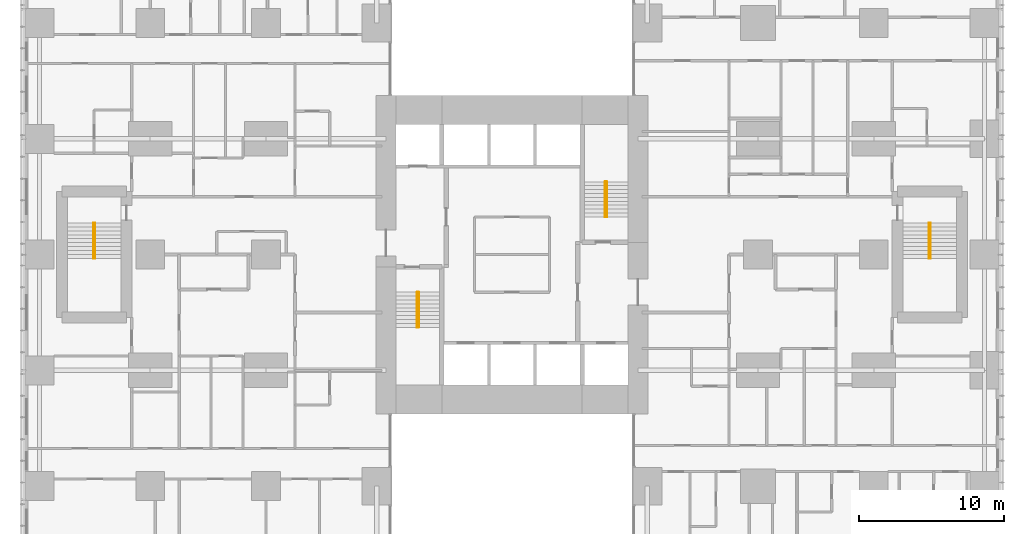
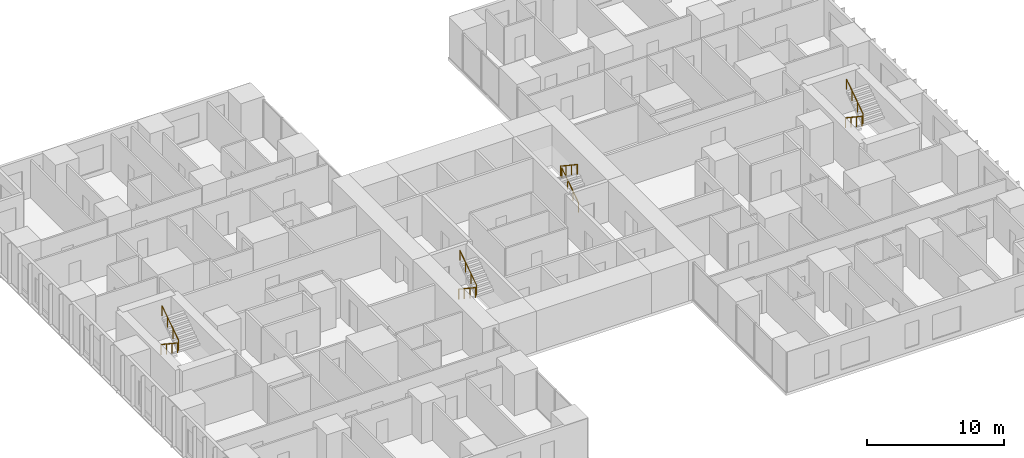
# One storey, part 21 of 21: 8 railings.
"""IFC4 building model written with IfcOpenShell, lengths in metres."""

import ifcopenshell
import ifcopenshell.guid

model = None  # the IFC model being written
_history = None  # IfcOwnerHistory: only IFC2X3 demands one
_inside = {}  # id of a spatial element -> (the spatial element, [elements in it])
_under = {}  # id of a project, library or spatial element -> (it, [spatial elements below it])
_declared = {}  # id of a project -> (the project, [libraries it declares])
_typed = {}  # id of a type object -> (the type object, [elements of that type])
_made_of = {}  # id of a material, layer set ... -> (it, [elements and type objects made of it])


def new_model(schema):
    """Start an empty IFC model of exactly this schema.

    Asked for "IFC4X3", IfcOpenShell would pick the latest addendum, in which some entities
    have other attributes; the version numbers below select the first issue.
    IFC2X3 requires an IfcOwnerHistory on every rooted entity: one is made here for all.
    """
    global model, _history
    if schema == "IFC4X3":
        model = ifcopenshell.file(schema_version=(4, 3, 0, 0))
    else:
        model = ifcopenshell.file(schema=schema)
    _inside.clear()
    _under.clear()
    _declared.clear()
    _typed.clear()
    _made_of.clear()
    _history = None
    if model.schema == "IFC2X3":
        org = make("IfcOrganization", Name="unknown")
        user = make(
            "IfcPersonAndOrganization",
            ThePerson=make("IfcPerson", FamilyName="unknown"),
            TheOrganization=org,
        )
        app = make(
            "IfcApplication",
            ApplicationDeveloper=org,
            Version="unknown",
            ApplicationFullName="unknown",
            ApplicationIdentifier="unknown",
        )
        _history = make(
            "IfcOwnerHistory",
            OwningUser=user,
            OwningApplication=app,
            ChangeAction="ADDED",
            CreationDate=0,
        )
    return model


def make(cls, **values):
    """One entity of the class cls with the attributes given. An attribute that is None is left unset."""
    return model.create_entity(
        cls, **{name: value for name, value in values.items() if value is not None}
    )


def rooted(cls, **values):
    """An entity with a GlobalId (a new one), such as an element, a storey or a relation."""
    return make(cls, GlobalId=ifcopenshell.guid.new(), OwnerHistory=_history, **values)


def si_unit(unit_type, name, prefix=None):
    """IfcSIUnit, for example si_unit("LENGTHUNIT", "METRE", prefix="MILLI")."""
    return make("IfcSIUnit", UnitType=unit_type, Prefix=prefix, Name=name)


def assignment(units):
    """IfcUnitAssignment: the units of a project."""
    return None if units is None else make("IfcUnitAssignment", Units=units)


def point(xyz):
    """IfcCartesianPoint."""
    return None if xyz is None else make("IfcCartesianPoint", Coordinates=xyz)


def direction(xyz):
    """IfcDirection."""
    return None if xyz is None else make("IfcDirection", DirectionRatios=xyz)


def frame(location, z_axis=None, x_axis=None):
    """IfcAxis2Placement3D, a coordinate frame: its origin and axes. An axis left out is left unset."""
    return make(
        "IfcAxis2Placement3D",
        Location=point(location),
        Axis=direction(z_axis),
        RefDirection=direction(x_axis),
    )


def frame_2d(location, x_axis=None):
    """IfcAxis2Placement2D, a coordinate frame in the plane: its origin and x axis."""
    return make(
        "IfcAxis2Placement2D", Location=point(location), RefDirection=direction(x_axis)
    )


def origin():
    """The frame at (0, 0, 0) with its axes left unset."""
    return frame((0.0, 0.0, 0.0))


def origin_2d():
    """The frame at (0, 0) in the plane with its x axis left unset."""
    return frame_2d((0.0, 0.0))


def place(relative_to, where):
    """IfcLocalPlacement: puts the frame where relative to a parent placement (None: the world)."""
    return make(
        "IfcLocalPlacement", PlacementRelTo=relative_to, RelativePlacement=where
    )


def context(
    kind, dimensions, precision=None, world=None, true_north=None, identifier=None
):
    """IfcGeometricRepresentationContext, for example the 3D "Model" context."""
    return make(
        "IfcGeometricRepresentationContext",
        ContextIdentifier=identifier,
        ContextType=kind,
        CoordinateSpaceDimension=dimensions,
        Precision=precision,
        WorldCoordinateSystem=world,
        TrueNorth=true_north,
    )


def subcontext(parent, identifier, kind, view, scale=None):
    """IfcGeometricRepresentationSubContext, for example "Body" below "Model"."""
    return make(
        "IfcGeometricRepresentationSubContext",
        ContextIdentifier=identifier,
        ContextType=kind,
        ParentContext=parent,
        TargetScale=scale,
        TargetView=view,
    )


def project(units=None, contexts=None):
    """IfcProject with its units and contexts."""
    return rooted(
        "IfcProject",
        Name="project",
        RepresentationContexts=contexts,
        UnitsInContext=assignment(units),
    )


def spatial(cls, under=None, at=None, **own):
    """A site, building, storey or space (cls), placed at a placement, below another one or the project."""
    s = rooted(cls, ObjectPlacement=at, **own)
    if under is not None:
        _under.setdefault(under.id(), (under, []))[1].append(s)
    return s


def profile(cls, at=None, kind="AREA", **sizes):
    """A parametric profile (cls). Its sizes go by their IFC names, for example OverallWidth=200.0."""
    return make(cls, ProfileType=kind, Position=at, **sizes)


def circle(**sizes):
    """IfcCircleProfileDef."""
    return profile("IfcCircleProfileDef", **sizes)


def extrude(swept, where, along, depth):
    """IfcExtrudedAreaSolid: the profile swept, set in the frame where, extruded along a direction by depth."""
    return make(
        "IfcExtrudedAreaSolid",
        SweptArea=swept,
        Position=where,
        ExtrudedDirection=direction(along),
        Depth=depth,
    )


def shape(context_of_items, identifier, shape_type, items):
    """IfcShapeRepresentation: the items that make up one representation, for example the "Body"."""
    return make(
        "IfcShapeRepresentation",
        ContextOfItems=context_of_items,
        RepresentationIdentifier=identifier,
        RepresentationType=shape_type,
        Items=items,
    )


def material(Name=None, Category=None):
    """IfcMaterial."""
    return make("IfcMaterial", Name=Name, Category=Category)


def made_of(thing, what):
    """Note that an element or type object is made of a material, layer set ...; save() writes the relation."""
    if what is not None:
        _made_of.setdefault(what.id(), (what, []))[1].append(thing)
    return thing


def type_object(cls, material=None, **own):
    """A type object (cls), such as IfcWallType, which elements share."""
    return made_of(rooted(cls, **own), material)


def element(
    cls,
    number,
    at=None,
    inside=None,
    cuts=None,
    type_object=None,
    material=None,
    context=None,
    identifier="Body",
    shape_type=None,
    held_by="IfcProductDefinitionShape",
    body=None,
    shapes=None,
    **own,
):
    """One element of the class cls, such as IfcWall. Its Tag is "e" and its number.

    at: its placement. inside: the storey or other place that contains it. cuts: it is an
    opening in that element (IfcRelVoidsElement). A single representation is given by context,
    identifier, shape_type and body (its items); several are given by shapes. held_by: the class
    of the entity that holds the representations. save() writes the other relations.
    """
    e = rooted(cls, Tag="e%d" % number, ObjectPlacement=at, **own)
    if body is not None:
        shapes = [shape(context, identifier, shape_type, body)]
    if shapes is not None:
        e.Representation = make(held_by, Representations=shapes)
    if inside is not None:
        _inside.setdefault(inside.id(), (inside, []))[1].append(e)
    if cuts is not None:
        rooted(
            "IfcRelVoidsElement", RelatingBuildingElement=cuts, RelatedOpeningElement=e
        )
    if type_object is not None:
        _typed.setdefault(type_object.id(), (type_object, []))[1].append(e)
    return made_of(e, material)


def aggregate(whole, parts):
    """IfcRelAggregates: a whole, such as a stair, and the parts it consists of."""
    return rooted("IfcRelAggregates", RelatingObject=whole, RelatedObjects=parts)


def save(model, path):
    """Write the relations noted so far, then the file.

    IfcRelAggregates (storeys below a building ...), IfcRelContainedInSpatialStructure (elements
    in a storey), IfcRelDefinesByType, IfcRelAssociatesMaterial and IfcRelDeclares: one each for
    every whole, place, type object, material and project.
    """
    for whole, parts in _under.values():
        aggregate(whole, parts)
    for where, things in _inside.values():
        rooted(
            "IfcRelContainedInSpatialStructure",
            RelatedElements=things,
            RelatingStructure=where,
        )
    for kind, things in _typed.values():
        rooted("IfcRelDefinesByType", RelatedObjects=things, RelatingType=kind)
    for what, things in _made_of.values():
        rooted("IfcRelAssociatesMaterial", RelatedObjects=things, RelatingMaterial=what)
    for by, libraries in _declared.values():
        rooted("IfcRelDeclares", RelatingContext=by, RelatedDefinitions=libraries)
    model.write(path)


model = new_model("IFC4")

# Units and contexts
model_context = context("Model", 3, precision=1e-05, world=origin(), true_north=direction((0.0, 1.0)))
body_context = subcontext(model_context, "Body", "Model", "MODEL_VIEW")
ifc_project = project(units=[si_unit("LENGTHUNIT", "METRE"), si_unit("AREAUNIT", "SQUARE_METRE"), si_unit("VOLUMEUNIT", "CUBIC_METRE"), si_unit("PLANEANGLEUNIT", "RADIAN"), si_unit("MASSUNIT", "GRAM", prefix="KILO")], contexts=[model_context])

# Site, building, storey
site_placement = place(None, origin())
site = spatial("IfcSite", under=ifc_project, at=site_placement, CompositionType="ELEMENT")
building_placement = place(site_placement, origin())
building = spatial("IfcBuilding", under=site, at=building_placement, Name="Cleftline Residences", CompositionType="ELEMENT")
storey_placement = place(building_placement, frame((0.0, 0.0, 128.60009765625)))
storey = spatial("IfcBuildingStorey", under=building, at=storey_placement, Name="L33", CompositionType="ELEMENT", Elevation=128.60009765625)

# Railings
ifc_material = material(Name="Stainless steel", Category="steel")
railing_type = type_object("IfcRailingType", Name="HANDRAIL 900", PredefinedType="HANDRAIL", material=ifc_material)
railing_1_placement = place(storey_placement, frame((26.449951171875, 21.39990234375, 0.179931640625)))
element("IfcRailing", 1, at=railing_1_placement, inside=storey, type_object=railing_type, Name="Stair handrail", PredefinedType="HANDRAIL", context=body_context, shape_type="SweptSolid", body=[
    extrude(circle(Radius=0.02392578125, at=origin_2d()), frame((0.0, 0.0, 0.8759765625), z_axis=(0.0, -0.832063155534, 0.554680903946), x_axis=(1.0, 0.0, 0.0)), (0.0, 0.0, 1.0), 2.92041015625),
    extrude(circle(Radius=0.02099609375, at=origin_2d()), origin(), (0.0, 0.0, 1.0), 0.851806640625),
    extrude(circle(Radius=0.02099609375, at=origin_2d()), frame((0.0, -0.81005859375, 0.5400390625)), (0.0, 0.0, 1.0), 0.851806640625),
    extrude(circle(Radius=0.02099609375, at=origin_2d()), frame((0.0, -1.619873046875, 1.079833984375)), (0.0, 0.0, 1.0), 0.851806640625),
    extrude(circle(Radius=0.02099609375, at=origin_2d()), frame((0.0, -2.429931640625, 1.619873046875)), (0.0, 0.0, 1.0), 0.851806640625),
])
for number, where, name in (
    (2, (26.550048828125, 18.969970703125, 1.97998046875), "Stair handrail"),
    (3, (39.550048828125, 26.60009765625, 0.179931640625), "Stair handrail"),
):
    element("IfcRailing", number, at=place(storey_placement, frame(where)), inside=storey, type_object=railing_type, Name=name, PredefinedType="HANDRAIL", context=body_context, shape_type="SweptSolid", body=[
        extrude(circle(Radius=0.02392578125, at=origin_2d()), frame((0.0, 0.0, 0.8759765625), z_axis=(0.0, 0.832063155534, 0.554680903946), x_axis=(-1.0, 0.0, 0.0)), (0.0, 0.0, 1.0), 2.92041015625),
        extrude(circle(Radius=0.02099609375, at=origin_2d()), origin(), (0.0, 0.0, 1.0), 0.851806640625),
        extrude(circle(Radius=0.02099609375, at=origin_2d()), frame((0.0, 0.81005859375, 0.5400390625)), (0.0, 0.0, 1.0), 0.851806640625),
        extrude(circle(Radius=0.02099609375, at=origin_2d()), frame((0.0, 1.619873046875, 1.079833984375)), (0.0, 0.0, 1.0), 0.851806640625),
        extrude(circle(Radius=0.02099609375, at=origin_2d()), frame((0.0, 2.429931640625, 1.619873046875)), (0.0, 0.0, 1.0), 0.851806640625),
    ])
for number, where, name in (
    (4, (39.449951171875, 29.030029296875, 1.97998046875), "Stair handrail"),
    (5, (61.824951171875, 26.175048828125, 0.179931640625), "Stair handrail"),
):
    element("IfcRailing", number, at=place(storey_placement, frame(where)), inside=storey, type_object=railing_type, Name=name, PredefinedType="HANDRAIL", context=body_context, shape_type="SweptSolid", body=[
        extrude(circle(Radius=0.02392578125, at=origin_2d()), frame((0.0, 0.0, 0.8759765625), z_axis=(0.0, -0.832063155534, 0.554680903946), x_axis=(1.0, 0.0, 0.0)), (0.0, 0.0, 1.0), 2.92041015625),
        extrude(circle(Radius=0.02099609375, at=origin_2d()), origin(), (0.0, 0.0, 1.0), 0.851806640625),
        extrude(circle(Radius=0.02099609375, at=origin_2d()), frame((0.0, -0.81005859375, 0.5400390625)), (0.0, 0.0, 1.0), 0.851806640625),
        extrude(circle(Radius=0.02099609375, at=origin_2d()), frame((0.0, -1.619873046875, 1.079833984375)), (0.0, 0.0, 1.0), 0.851806640625),
        extrude(circle(Radius=0.02099609375, at=origin_2d()), frame((0.0, -2.429931640625, 1.619873046875)), (0.0, 0.0, 1.0), 0.851806640625),
    ])
railing_2_placement = place(storey_placement, frame((61.925048828125, 23.7451171875, 1.97998046875)))
element("IfcRailing", 6, at=railing_2_placement, inside=storey, type_object=railing_type, Name="Stair handrail", PredefinedType="HANDRAIL", context=body_context, shape_type="SweptSolid", body=[
    extrude(circle(Radius=0.02392578125, at=origin_2d()), frame((0.0, 0.0, 0.8759765625), z_axis=(0.0, 0.832063155534, 0.554680903946), x_axis=(-1.0, 0.0, 0.0)), (0.0, 0.0, 1.0), 2.92041015625),
    extrude(circle(Radius=0.02099609375, at=origin_2d()), origin(), (0.0, 0.0, 1.0), 0.851806640625),
    extrude(circle(Radius=0.02099609375, at=origin_2d()), frame((0.0, 0.81005859375, 0.5400390625)), (0.0, 0.0, 1.0), 0.851806640625),
    extrude(circle(Radius=0.02099609375, at=origin_2d()), frame((0.0, 1.619873046875, 1.079833984375)), (0.0, 0.0, 1.0), 0.851806640625),
    extrude(circle(Radius=0.02099609375, at=origin_2d()), frame((0.0, 2.429931640625, 1.619873046875)), (0.0, 0.0, 1.0), 0.851806640625),
])
railing_3_placement = place(storey_placement, frame((4.074951171875, 26.175048828125, 0.179931640625)))
element("IfcRailing", 7, at=railing_3_placement, inside=storey, type_object=railing_type, Name="Stair handrail", PredefinedType="HANDRAIL", context=body_context, shape_type="SweptSolid", body=[
    extrude(circle(Radius=0.02392578125, at=origin_2d()), frame((0.0, 0.0, 0.8759765625), z_axis=(0.0, -0.832063155534, 0.554680903946), x_axis=(1.0, 0.0, 0.0)), (0.0, 0.0, 1.0), 2.92041015625),
    extrude(circle(Radius=0.02099609375, at=origin_2d()), origin(), (0.0, 0.0, 1.0), 0.851806640625),
    extrude(circle(Radius=0.02099609375, at=origin_2d()), frame((0.0, -0.81005859375, 0.5400390625)), (0.0, 0.0, 1.0), 0.851806640625),
    extrude(circle(Radius=0.02099609375, at=origin_2d()), frame((0.0, -1.619873046875, 1.079833984375)), (0.0, 0.0, 1.0), 0.851806640625),
    extrude(circle(Radius=0.02099609375, at=origin_2d()), frame((0.0, -2.429931640625, 1.619873046875)), (0.0, 0.0, 1.0), 0.851806640625),
])
railing_4_placement = place(storey_placement, frame((4.175048828125, 23.7451171875, 1.97998046875)))
element("IfcRailing", 8, at=railing_4_placement, inside=storey, type_object=railing_type, Name="Stair handrail", PredefinedType="HANDRAIL", context=body_context, shape_type="SweptSolid", body=[
    extrude(circle(Radius=0.02392578125, at=origin_2d()), frame((0.0, 0.0, 0.8759765625), z_axis=(0.0, 0.832063155534, 0.554680903946), x_axis=(-1.0, 0.0, 0.0)), (0.0, 0.0, 1.0), 2.92041015625),
    extrude(circle(Radius=0.02099609375, at=origin_2d()), origin(), (0.0, 0.0, 1.0), 0.851806640625),
    extrude(circle(Radius=0.02099609375, at=origin_2d()), frame((0.0, 0.81005859375, 0.5400390625)), (0.0, 0.0, 1.0), 0.851806640625),
    extrude(circle(Radius=0.02099609375, at=origin_2d()), frame((0.0, 1.619873046875, 1.079833984375)), (0.0, 0.0, 1.0), 0.851806640625),
    extrude(circle(Radius=0.02099609375, at=origin_2d()), frame((0.0, 2.429931640625, 1.619873046875)), (0.0, 0.0, 1.0), 0.851806640625),
])

save(model, "model.ifc")
